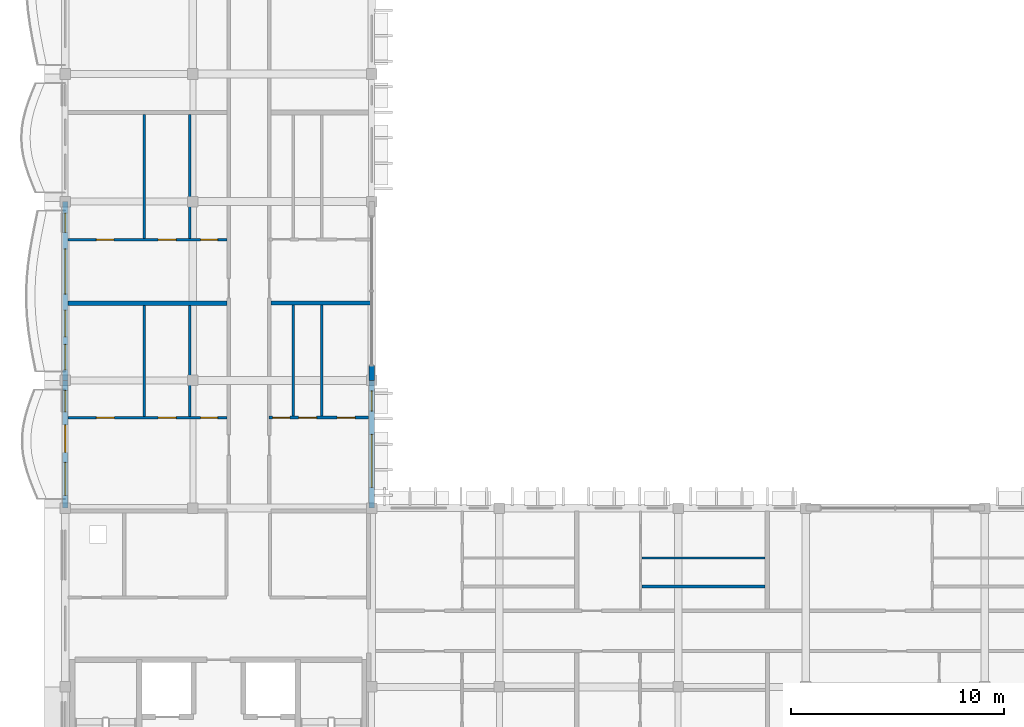
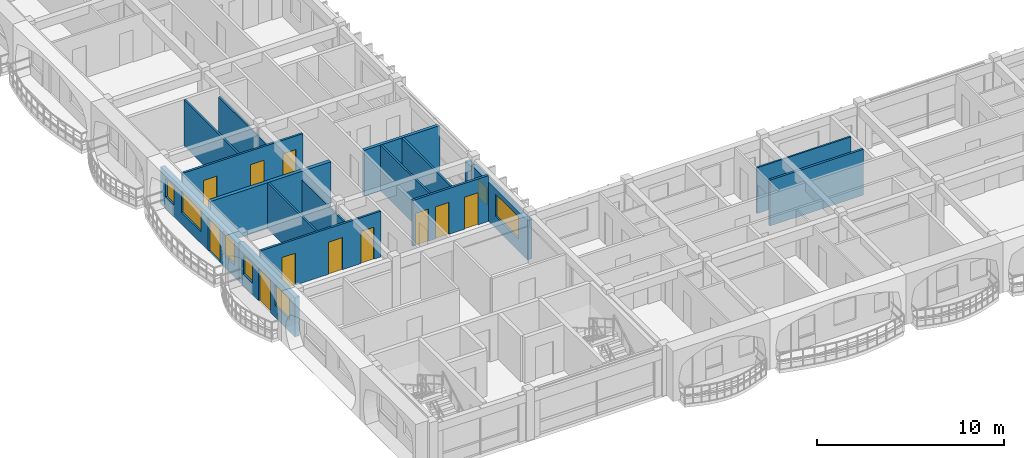
# One storey, part 24 of 68: 17 walls, 11 doors, 7 windows, 18 openings.
"""IFC4 building model written with IfcOpenShell, lengths in metres."""

from ifc_helpers import new_model, si_unit, direction, frame, frame_2d, origin, place, context, subcontext, project, spatial, rectangle, extrude, material, layer, layer_set, type_object, element, fill, save


model = new_model("IFC4")

# Units and contexts
model_context = context("Model", 3, precision=1e-05, world=origin(), true_north=direction((0.0, 1.0)))
body_context = subcontext(model_context, "Body", "Model", "MODEL_VIEW")
ifc_project = project(units=[si_unit("LENGTHUNIT", "METRE"), si_unit("AREAUNIT", "SQUARE_METRE"), si_unit("VOLUMEUNIT", "CUBIC_METRE"), si_unit("PLANEANGLEUNIT", "RADIAN"), si_unit("MASSUNIT", "GRAM", prefix="KILO"), si_unit("THERMODYNAMICTEMPERATUREUNIT", "KELVIN")], contexts=[model_context])

# Site, building, storey
site_placement = place(None, origin())
site = spatial("IfcSite", under=ifc_project, at=site_placement, CompositionType="ELEMENT")
building_placement = place(site_placement, origin())
building = spatial("IfcBuilding", under=site, at=building_placement, Name="Thalorik Housing Commons", CompositionType="ELEMENT")
storey_placement = place(building_placement, frame((0.0, 0.0, 24.60009765625)))
storey = spatial("IfcBuildingStorey", under=building, at=storey_placement, Name="L07", CompositionType="ELEMENT", Elevation=24.60009765625)

# Wall, openings, windows
ifc_material_1 = material(Name="White precast concrete C40/50", Category="concrete")
ifc_layer_1 = layer(ifc_material_1, 0.27490234375, Name="White precast concrete C40/50", Category="concrete")
ifc_layer_set_1 = layer_set([ifc_layer_1], Name="White precast concrete C40/50")
wall_type_1 = type_object("IfcWallType", Name="ARC-WAL-EXT-275", PredefinedType="STANDARD", material=ifc_layer_set_1)
wall_1_placement = place(storey_placement, frame((22.800048828125, 22.800048828125, 0.0), z_axis=(0.0, 0.0, 1.0), x_axis=(0.0, 1.0, 0.0)))
wall_1 = element("IfcWall", 1, at=wall_1_placement, inside=storey, type_object=wall_type_1, Name="L07 Exterior Wall WAL-EXT-L07-C-1017", PredefinedType="STANDARD", context=body_context, shape_type="SweptSolid", body=[
    extrude(rectangle(XDim=6.0, YDim=0.27490234375, at=frame_2d((3.0, 0.0))), origin(), (0.0, 0.0, 1.0), 2.574951171875),
])
opening_1_placement = place(wall_1_placement, frame((0.979736328125, 0.0, 0.780029296875)))
opening_1 = element("IfcOpeningElement", 2, at=opening_1_placement, cuts=wall_1, Name="Opening W-71", PredefinedType="OPENING", context=body_context, shape_type="SweptSolid", body=[
    extrude(rectangle(XDim=2.47998046875, YDim=1.4599609375, at=frame_2d((1.239990234375, 0.72998046875))), frame((0.0, 0.1474609375, 0.0), z_axis=(0.0, -1.0, 0.0), x_axis=(1.0, 0.0, 0.0)), (0.0, 0.0, 1.0), 0.294921875),
])
opening_2_placement = place(wall_1_placement, frame((4.5546875, 0.0, 0.780029296875)))
opening_2 = element("IfcOpeningElement", 3, at=opening_2_placement, cuts=wall_1, Name="Opening W-43", PredefinedType="OPENING", context=body_context, shape_type="SweptSolid", body=[
    extrude(rectangle(XDim=0.949951171875, YDim=1.14990234375, at=frame_2d((0.47509765625, 0.574951171875))), frame((0.0, 0.1474609375, 0.0), z_axis=(0.0, -1.0, 0.0), x_axis=(1.0, 0.0, 0.0)), (0.0, 0.0, 1.0), 0.294921875),
])
ifc_material_2 = material(Name="Anodised aluminium and solar-control low-E glass", Category="aluminium")
window_type_1 = type_object("IfcWindowType", Name="ARC-WIN-43", PartitioningType="SINGLE_PANEL", PredefinedType="WINDOW", material=ifc_material_2)
window_1_placement = place(opening_2_placement, origin())
window_1 = element("IfcWindow", 4, at=window_1_placement, inside=storey, type_object=window_type_1, Name="L07 Facade Window 1882", OverallHeight=1.14990234375, OverallWidth=0.949951171875, PartitioningType="SINGLE_PANEL", PredefinedType="WINDOW", context=body_context, shape_type="SweptSolid", body=[
    extrude(rectangle(XDim=0.949951171875, YDim=1.14990234375, at=frame_2d((0.47509765625, 0.574951171875))), frame((0.0, 0.030029296875, 0.0), z_axis=(0.0, -1.0, 0.0), x_axis=(1.0, 0.0, 0.0)), (0.0, 0.0, 1.0), 0.06005859375),
])
fill(opening_2, window_1)
window_type_2 = type_object("IfcWindowType", Name="ARC-WIN-71", PartitioningType="DOUBLE_PANEL_VERTICAL", PredefinedType="WINDOW", material=ifc_material_2)
window_2_placement = place(opening_1_placement, origin())
window_2 = element("IfcWindow", 5, at=window_2_placement, inside=storey, type_object=window_type_2, Name="L07 Facade Window 1881", OverallHeight=1.4599609375, OverallWidth=2.47998046875, PartitioningType="DOUBLE_PANEL_VERTICAL", PredefinedType="WINDOW", context=body_context, shape_type="SweptSolid", body=[
    extrude(rectangle(XDim=2.47998046875, YDim=1.4599609375, at=frame_2d((1.239990234375, 0.72998046875))), frame((0.0, 0.030029296875, 0.0), z_axis=(0.0, -1.0, 0.0), x_axis=(1.0, 0.0, 0.0)), (0.0, 0.0, 1.0), 0.06005859375),
])
fill(opening_1, window_2)

# Wall
wall_2_placement = place(storey_placement, frame((22.800048828125, 28.800048828125, 0.0), z_axis=(0.0, 0.0, 1.0), x_axis=(0.0, 1.0, 0.0)))
element("IfcWall", 6, at=wall_2_placement, inside=storey, type_object=wall_type_1, Name="L07 Exterior Wall WAL-PIERL-L07-C-1018", PredefinedType="STANDARD", context=body_context, shape_type="SweptSolid", body=[
    extrude(rectangle(XDim=0.699951171875, YDim=0.27490234375, at=frame_2d((0.35009765625, 0.0))), origin(), (0.0, 0.0, 1.0), 2.4248046875),
])

# Wall, openings, door, windows
wall_3_placement = place(storey_placement, frame((8.39990234375, 37.199951171875, 0.0), z_axis=(0.0, 0.0, 1.0), x_axis=(0.0, -1.0, 0.0)))
wall_3 = element("IfcWall", 7, at=wall_3_placement, inside=storey, type_object=wall_type_1, Name="L07 Exterior Wall WAL-EXT-L07-C-1027", PredefinedType="STANDARD", context=body_context, shape_type="SweptSolid", body=[
    extrude(rectangle(XDim=8.39990234375, YDim=0.27490234375, at=frame_2d((4.199951171875, 0.0))), origin(), (0.0, 0.0, 1.0), 2.4248046875),
])
opening_3_placement = place(wall_3_placement, frame((5.10009765625, 0.0, 0.0)))
opening_3 = element("IfcOpeningElement", 8, at=opening_3_placement, cuts=wall_3, Name="Opening ED-0341", PredefinedType="OPENING", context=body_context, shape_type="SweptSolid", body=[
    extrude(rectangle(XDim=1.25, YDim=2.199951171875, at=frame_2d((0.625, 1.10009765625))), frame((0.0, 0.1474609375, 0.0), z_axis=(0.0, -1.0, 0.0), x_axis=(1.0, 0.0, 0.0)), (0.0, 0.0, 1.0), 0.294921875),
])
opening_4_placement = place(wall_3_placement, frame((0.5400390625, 0.0, 0.780029296875)))
opening_4 = element("IfcOpeningElement", 9, at=opening_4_placement, cuts=wall_3, Name="Opening W-01", PredefinedType="OPENING", context=body_context, shape_type="SweptSolid", body=[
    extrude(rectangle(XDim=0.89990234375, YDim=1.199951171875, at=frame_2d((0.449951171875, 0.60009765625))), frame((0.0, 0.1474609375, 0.0), z_axis=(0.0, -1.0, 0.0), x_axis=(1.0, 0.0, 0.0)), (0.0, 0.0, 1.0), 0.294921875),
])
opening_5_placement = place(wall_3_placement, frame((2.219970703125, 0.0, 0.780029296875)))
opening_5 = element("IfcOpeningElement", 10, at=opening_5_placement, cuts=wall_3, Name="Opening W-64", PredefinedType="OPENING", context=body_context, shape_type="SweptSolid", body=[
    extrude(rectangle(XDim=2.1201171875, YDim=1.43994140625, at=frame_2d((1.06005859375, 0.719970703125))), frame((0.0, 0.1474609375, 0.0), z_axis=(0.0, -1.0, 0.0), x_axis=(1.0, 0.0, 0.0)), (0.0, 0.0, 1.0), 0.294921875),
])
opening_6_placement = place(wall_3_placement, frame((6.705078125, 0.0, 0.780029296875)))
opening_6 = element("IfcOpeningElement", 11, at=opening_6_placement, cuts=wall_3, Name="Opening W-05", PredefinedType="OPENING", context=body_context, shape_type="SweptSolid", body=[
    extrude(rectangle(XDim=1.199951171875, YDim=1.5, at=frame_2d((0.60009765625, 0.75))), frame((0.0, 0.1474609375, 0.0), z_axis=(0.0, -1.0, 0.0), x_axis=(1.0, 0.0, 0.0)), (0.0, 0.0, 1.0), 0.294921875),
])
ifc_material_3 = material(Name="Anodised aluminium and laminated safety glass", Category="aluminium")
door_type_1 = type_object("IfcDoorType", Name="ARC-DR-BAL-1250", OperationType="NOTDEFINED", PredefinedType="DOOR", material=ifc_material_3)
door_1_placement = place(opening_3_placement, frame((1.25, 0.0, 0.0), z_axis=(0.0, 0.0, 1.0), x_axis=(-1.0, 0.0, 0.0)))
door_1 = element("IfcDoor", 12, at=door_1_placement, inside=storey, type_object=door_type_1, Name="L07 Block C Balcony Glazed Door", OperationType="SINGLE_SWING_RIGHT", OverallHeight=2.199951171875, OverallWidth=1.25, PredefinedType="DOOR", context=body_context, shape_type="SweptSolid", body=[
    extrude(rectangle(XDim=1.25, YDim=2.199951171875, at=frame_2d((0.625, 1.10009765625))), frame((0.0, 0.02490234375, 0.0), z_axis=(0.0, -1.0, 0.0), x_axis=(1.0, 0.0, 0.0)), (0.0, 0.0, 1.0), 0.050048828125),
])
fill(opening_3, door_1)
window_type_3 = type_object("IfcWindowType", Name="ARC-WIN-01", PartitioningType="SINGLE_PANEL", PredefinedType="WINDOW", material=ifc_material_2)
window_3_placement = place(opening_4_placement, origin())
window_3 = element("IfcWindow", 13, at=window_3_placement, inside=storey, type_object=window_type_3, Name="L07 Facade Window 1898", OverallHeight=1.199951171875, OverallWidth=0.89990234375, PartitioningType="SINGLE_PANEL", PredefinedType="WINDOW", context=body_context, shape_type="SweptSolid", body=[
    extrude(rectangle(XDim=0.89990234375, YDim=1.199951171875, at=frame_2d((0.449951171875, 0.60009765625))), frame((0.0, 0.030029296875, 0.0), z_axis=(0.0, -1.0, 0.0), x_axis=(1.0, 0.0, 0.0)), (0.0, 0.0, 1.0), 0.06005859375),
])
fill(opening_4, window_3)
window_type_4 = type_object("IfcWindowType", Name="ARC-WIN-05", PartitioningType="SINGLE_PANEL", PredefinedType="WINDOW", material=ifc_material_2)
window_4_placement = place(opening_6_placement, origin())
window_4 = element("IfcWindow", 14, at=window_4_placement, inside=storey, type_object=window_type_4, Name="L07 Facade Window 1900", OverallHeight=1.5, OverallWidth=1.199951171875, PartitioningType="SINGLE_PANEL", PredefinedType="WINDOW", context=body_context, shape_type="SweptSolid", body=[
    extrude(rectangle(XDim=1.199951171875, YDim=1.5, at=frame_2d((0.60009765625, 0.75))), frame((0.0, 0.030029296875, 0.0), z_axis=(0.0, -1.0, 0.0), x_axis=(1.0, 0.0, 0.0)), (0.0, 0.0, 1.0), 0.06005859375),
])
fill(opening_6, window_4)
window_type_5 = type_object("IfcWindowType", Name="ARC-WIN-64", PartitioningType="DOUBLE_PANEL_VERTICAL", PredefinedType="WINDOW", material=ifc_material_2)
window_5_placement = place(opening_5_placement, origin())
window_5 = element("IfcWindow", 15, at=window_5_placement, inside=storey, type_object=window_type_5, Name="L07 Facade Window 1899", OverallHeight=1.43994140625, OverallWidth=2.1201171875, PartitioningType="DOUBLE_PANEL_VERTICAL", PredefinedType="WINDOW", context=body_context, shape_type="SweptSolid", body=[
    extrude(rectangle(XDim=2.1201171875, YDim=1.43994140625, at=frame_2d((1.06005859375, 0.719970703125))), frame((0.0, 0.030029296875, 0.0), z_axis=(0.0, -1.0, 0.0), x_axis=(1.0, 0.0, 0.0)), (0.0, 0.0, 1.0), 0.06005859375),
])
fill(opening_5, window_5)

wall_4_placement = place(storey_placement, frame((8.39990234375, 28.800048828125, 0.0), z_axis=(0.0, 0.0, 1.0), x_axis=(0.0, -1.0, 0.0)))
wall_4 = element("IfcWall", 16, at=wall_4_placement, inside=storey, type_object=wall_type_1, Name="L07 Exterior Wall WAL-EXT-L07-C-1028", PredefinedType="STANDARD", context=body_context, shape_type="SweptSolid", body=[
    extrude(rectangle(XDim=6.0, YDim=0.27490234375, at=frame_2d((3.0, 0.0))), origin(), (0.0, 0.0, 1.0), 2.574951171875),
])
opening_7_placement = place(wall_4_placement, frame((2.0849609375, 0.0, 0.0)))
opening_7 = element("IfcOpeningElement", 17, at=opening_7_placement, cuts=wall_4, Name="Opening ED-0342", PredefinedType="OPENING", context=body_context, shape_type="SweptSolid", body=[
    extrude(rectangle(XDim=1.300048828125, YDim=2.14990234375, at=frame_2d((0.64990234375, 1.074951171875))), frame((0.0, 0.1474609375, 0.0), z_axis=(0.0, -1.0, 0.0), x_axis=(1.0, 0.0, 0.0)), (0.0, 0.0, 1.0), 0.294921875),
])
opening_8_placement = place(wall_4_placement, frame((0.472412109375, 0.0, 0.780029296875)))
opening_8 = element("IfcOpeningElement", 18, at=opening_8_placement, cuts=wall_4, Name="Opening W-02", PredefinedType="OPENING", context=body_context, shape_type="SweptSolid", body=[
    extrude(rectangle(XDim=1.0, YDim=1.25, at=frame_2d((0.5, 0.625))), frame((0.0, 0.1474609375, 0.0), z_axis=(0.0, -1.0, 0.0), x_axis=(1.0, 0.0, 0.0)), (0.0, 0.0, 1.0), 0.294921875),
])
opening_9_placement = place(wall_4_placement, frame((3.847412109375, 0.0, 0.780029296875)))
opening_9 = element("IfcOpeningElement", 19, at=opening_9_placement, cuts=wall_4, Name="Opening W-12", PredefinedType="OPENING", context=body_context, shape_type="SweptSolid", body=[
    extrude(rectangle(XDim=1.550048828125, YDim=1.39990234375, at=frame_2d((0.77490234375, 0.699951171875))), frame((0.0, 0.1474609375, 0.0), z_axis=(0.0, -1.0, 0.0), x_axis=(1.0, 0.0, 0.0)), (0.0, 0.0, 1.0), 0.294921875),
])
door_type_2 = type_object("IfcDoorType", Name="ARC-DR-BAL-1300", OperationType="NOTDEFINED", PredefinedType="DOOR", material=ifc_material_3)
door_2_placement = place(opening_7_placement, frame((1.300048828125, 0.0, 0.0), z_axis=(0.0, 0.0, 1.0), x_axis=(-1.0, 0.0, 0.0)))
door_2 = element("IfcDoor", 20, at=door_2_placement, inside=storey, type_object=door_type_2, Name="L07 Block C Balcony Glazed Door", OperationType="SINGLE_SWING_LEFT", OverallHeight=2.14990234375, OverallWidth=1.300048828125, PredefinedType="DOOR", context=body_context, shape_type="SweptSolid", body=[
    extrude(rectangle(XDim=1.300048828125, YDim=2.14990234375, at=frame_2d((0.64990234375, 1.074951171875))), frame((0.0, 0.02490234375, 0.0), z_axis=(0.0, -1.0, 0.0), x_axis=(1.0, 0.0, 0.0)), (0.0, 0.0, 1.0), 0.050048828125),
])
fill(opening_7, door_2)
window_type_6 = type_object("IfcWindowType", Name="ARC-WIN-02", PartitioningType="SINGLE_PANEL", PredefinedType="WINDOW", material=ifc_material_2)
window_6_placement = place(opening_8_placement, origin())
window_6 = element("IfcWindow", 21, at=window_6_placement, inside=storey, type_object=window_type_6, Name="L07 Facade Window 1901", OverallHeight=1.25, OverallWidth=1.0, PartitioningType="SINGLE_PANEL", PredefinedType="WINDOW", context=body_context, shape_type="SweptSolid", body=[
    extrude(rectangle(XDim=1.0, YDim=1.25, at=frame_2d((0.5, 0.625))), frame((0.0, 0.030029296875, 0.0), z_axis=(0.0, -1.0, 0.0), x_axis=(1.0, 0.0, 0.0)), (0.0, 0.0, 1.0), 0.06005859375),
])
fill(opening_8, window_6)
window_type_7 = type_object("IfcWindowType", Name="ARC-WIN-12", PartitioningType="SINGLE_PANEL", PredefinedType="WINDOW", material=ifc_material_2)
window_7_placement = place(opening_9_placement, origin())
window_7 = element("IfcWindow", 22, at=window_7_placement, inside=storey, type_object=window_type_7, Name="L07 Facade Window 1902", OverallHeight=1.39990234375, OverallWidth=1.550048828125, PartitioningType="SINGLE_PANEL", PredefinedType="WINDOW", context=body_context, shape_type="SweptSolid", body=[
    extrude(rectangle(XDim=1.550048828125, YDim=1.39990234375, at=frame_2d((0.77490234375, 0.699951171875))), frame((0.0, 0.030029296875, 0.0), z_axis=(0.0, -1.0, 0.0), x_axis=(1.0, 0.0, 0.0)), (0.0, 0.0, 1.0), 0.06005859375),
])
fill(opening_9, window_7)

# Walls
ifc_material_4 = material(Name="Gypsum light stud partition", Category="masonry")
ifc_layer_2 = layer(ifc_material_4, 0.10009765625, Name="Gypsum light stud partition", Category="masonry")
ifc_layer_set_2 = layer_set([ifc_layer_2], Name="Gypsum light stud partition")
wall_type_2 = type_object("IfcWallType", Name="ARC-WAL-PART-100", PredefinedType="PARTITIONING", material=ifc_layer_set_2)
wall_5_placement = place(storey_placement, frame((14.251220703125, 27.109619140625, 0.0), z_axis=(0.0, 0.0, 1.0), x_axis=(0.0, 1.0, 0.0)))
element("IfcWall", 23, at=wall_5_placement, inside=storey, type_object=wall_type_2, Name="L07 Unit 1 Wet Wall", PredefinedType="PARTITIONING", context=body_context, shape_type="SweptSolid", body=[
    extrude(rectangle(XDim=5.20849609375, YDim=0.10009765625, at=frame_2d((2.604248046875, 0.0))), origin(), (0.0, 0.0, 1.0), 2.4248046875),
])
wall_6_placement = place(storey_placement, frame((14.251220703125, 35.474609375, 0.0), z_axis=(0.0, 0.0, 1.0), x_axis=(0.0, 1.0, 0.0)))
element("IfcWall", 24, at=wall_6_placement, inside=storey, type_object=wall_type_2, Name="L07 Unit 2 Wet Wall", PredefinedType="PARTITIONING", context=body_context, shape_type="SweptSolid", body=[
    extrude(rectangle(XDim=5.8134765625, YDim=0.10009765625, at=frame_2d((2.90673828125, 0.0))), origin(), (0.0, 0.0, 1.0), 2.4248046875),
])
wall_7_placement = place(storey_placement, frame((35.490234375, 20.455078125, 0.0), z_axis=(0.0, 0.0, 1.0), x_axis=(1.0, 0.0, 0.0)))
element("IfcWall", 25, at=wall_7_placement, inside=storey, type_object=wall_type_2, Name="L07 Unit 2B Bedroom Partition", PredefinedType="PARTITIONING", context=body_context, shape_type="SweptSolid", body=[
    extrude(rectangle(XDim=5.7978515625, YDim=0.10009765625, at=frame_2d((2.89892578125, 0.0))), origin(), (0.0, 0.0, 1.0), 3.0),
])
ifc_material_5 = material(Name="Gypsum moisture-resistant partition", Category="masonry")
ifc_layer_3 = layer(ifc_material_5, 0.114990234375, Name="Gypsum moisture-resistant partition", Category="masonry")
ifc_layer_set_3 = layer_set([ifc_layer_3], Name="Gypsum moisture-resistant partition")
wall_type_3 = type_object("IfcWallType", Name="ARC-WAL-PART-115", PredefinedType="PARTITIONING", material=ifc_layer_set_3)
wall_8_placement = place(storey_placement, frame((12.11767578125, 27.109619140625, 0.0), z_axis=(0.0, 0.0, 1.0), x_axis=(0.0, 1.0, 0.0)))
element("IfcWall", 26, at=wall_8_placement, inside=storey, type_object=wall_type_3, Name="L07 Unit 1 Bedroom Partition", PredefinedType="PARTITIONING", context=body_context, shape_type="SweptSolid", body=[
    extrude(rectangle(XDim=5.20849609375, YDim=0.114990234375, at=frame_2d((2.604248046875, 0.0))), origin(), (0.0, 0.0, 1.0), 3.0),
])
wall_9_placement = place(storey_placement, frame((19.122314453125, 27.12158203125, 0.0), z_axis=(0.0, 0.0, 1.0), x_axis=(0.0, 1.0, 0.0)))
element("IfcWall", 27, at=wall_9_placement, inside=storey, type_object=wall_type_3, Name="L07 Unit 1B Wet Wall", PredefinedType="PARTITIONING", context=body_context, shape_type="SweptSolid", body=[
    extrude(rectangle(XDim=5.2138671875, YDim=0.114990234375, at=frame_2d((2.60693359375, 0.0))), origin(), (0.0, 0.0, 1.0), 3.0),
])
wall_10_placement = place(storey_placement, frame((12.11767578125, 35.474609375, 0.0), z_axis=(0.0, 0.0, 1.0), x_axis=(0.0, 1.0, 0.0)))
element("IfcWall", 28, at=wall_10_placement, inside=storey, type_object=wall_type_3, Name="L07 Unit 2 Bedroom Partition", PredefinedType="PARTITIONING", context=body_context, shape_type="SweptSolid", body=[
    extrude(rectangle(XDim=5.8134765625, YDim=0.114990234375, at=frame_2d((2.90673828125, 0.0))), origin(), (0.0, 0.0, 1.0), 3.0),
])

# Wall, openings, doors
ifc_material_6 = material(Name="Gypsum acoustic stud partition", Category="masonry")
ifc_layer_4 = layer(ifc_material_6, 0.125, Name="Gypsum acoustic stud partition", Category="masonry")
ifc_layer_set_4 = layer_set([ifc_layer_4], Name="Gypsum acoustic stud partition")
wall_type_4 = type_object("IfcWallType", Name="ARC-WAL-PART-125", PredefinedType="PARTITIONING", material=ifc_layer_set_4)
wall_11_placement = place(storey_placement, frame((8.53955078125, 27.044921875, 0.0), z_axis=(0.0, 0.0, 1.0), x_axis=(1.0, 0.0, 0.0)))
wall_11 = element("IfcWall", 29, at=wall_11_placement, inside=storey, type_object=wall_type_4, Name="L07 Unit 1 Spine Partition", PredefinedType="PARTITIONING", context=body_context, shape_type="SweptSolid", body=[
    extrude(rectangle(XDim=7.46337890625, YDim=0.125, at=frame_2d((3.731689453125, 0.0))), origin(), (0.0, 0.0, 1.0), 3.0),
])
opening_10_placement = place(wall_11_placement, frame((1.32421875, 0.0, 0.0)))
opening_10 = element("IfcOpeningElement", 30, at=opening_10_placement, cuts=wall_11, Name="Opening ID-1842", PredefinedType="OPENING", context=body_context, shape_type="SweptSolid", body=[
    extrude(rectangle(XDim=0.85009765625, YDim=2.10009765625, at=frame_2d((0.425048828125, 1.050048828125))), frame((0.0, 0.072509765625, 0.0), z_axis=(0.0, -1.0, 0.0), x_axis=(1.0, 0.0, 0.0)), (0.0, 0.0, 1.0), 0.14501953125),
])
opening_11_placement = place(wall_11_placement, frame((4.219970703125, 0.0, 0.0)))
opening_11 = element("IfcOpeningElement", 31, at=opening_11_placement, cuts=wall_11, Name="Opening ID-1843", PredefinedType="OPENING", context=body_context, shape_type="SweptSolid", body=[
    extrude(rectangle(XDim=0.85009765625, YDim=2.10009765625, at=frame_2d((0.425048828125, 1.050048828125))), frame((0.0, 0.072509765625, 0.0), z_axis=(0.0, -1.0, 0.0), x_axis=(1.0, 0.0, 0.0)), (0.0, 0.0, 1.0), 0.14501953125),
])
opening_12_placement = place(wall_11_placement, frame((6.22607421875, 0.0, 0.0)))
opening_12 = element("IfcOpeningElement", 32, at=opening_12_placement, cuts=wall_11, Name="Opening ID-1844", PredefinedType="OPENING", context=body_context, shape_type="SweptSolid", body=[
    extrude(rectangle(XDim=0.800048828125, YDim=2.10009765625, at=frame_2d((0.39990234375, 1.050048828125))), frame((0.0, 0.072509765625, 0.0), z_axis=(0.0, -1.0, 0.0), x_axis=(1.0, 0.0, 0.0)), (0.0, 0.0, 1.0), 0.14501953125),
])
ifc_material_7 = material(Name="Moisture-resistant timber", Category="wood")
door_type_3 = type_object("IfcDoorType", Name="ARC-DR-INT-800", OperationType="NOTDEFINED", PredefinedType="DOOR", material=ifc_material_7)
door_3_placement = place(opening_12_placement, origin())
door_3 = element("IfcDoor", 33, at=door_3_placement, inside=storey, type_object=door_type_3, Name="L07 Flat Bathroom Door", OperationType="SINGLE_SWING_LEFT", OverallHeight=2.10009765625, OverallWidth=0.800048828125, PredefinedType="DOOR", context=body_context, shape_type="SweptSolid", body=[
    extrude(rectangle(XDim=0.800048828125, YDim=2.10009765625, at=frame_2d((0.39990234375, 1.050048828125))), frame((0.0, 0.02490234375, 0.0), z_axis=(0.0, -1.0, 0.0), x_axis=(1.0, 0.0, 0.0)), (0.0, 0.0, 1.0), 0.050048828125),
])
fill(opening_12, door_3)
ifc_material_8 = material(Name="Engineered oak timber", Category="wood")
door_type_4 = type_object("IfcDoorType", Name="ARC-DR-INT-850", OperationType="NOTDEFINED", PredefinedType="DOOR", material=ifc_material_8)
door_4_placement = place(opening_10_placement, origin())
door_4 = element("IfcDoor", 34, at=door_4_placement, inside=storey, type_object=door_type_4, Name="L07 Double Bedroom Door", OperationType="SINGLE_SWING_LEFT", OverallHeight=2.10009765625, OverallWidth=0.85009765625, PredefinedType="DOOR", context=body_context, shape_type="SweptSolid", body=[
    extrude(rectangle(XDim=0.85009765625, YDim=2.10009765625, at=frame_2d((0.425048828125, 1.050048828125))), frame((0.0, 0.02490234375, 0.0), z_axis=(0.0, -1.0, 0.0), x_axis=(1.0, 0.0, 0.0)), (0.0, 0.0, 1.0), 0.050048828125),
])
fill(opening_10, door_4)
door_5_placement = place(opening_11_placement, origin())
door_5 = element("IfcDoor", 35, at=door_5_placement, inside=storey, type_object=door_type_4, Name="L07 Galley Kitchen Door", OperationType="SINGLE_SWING_RIGHT", OverallHeight=2.10009765625, OverallWidth=0.85009765625, PredefinedType="DOOR", context=body_context, shape_type="SweptSolid", body=[
    extrude(rectangle(XDim=0.85009765625, YDim=2.10009765625, at=frame_2d((0.425048828125, 1.050048828125))), frame((0.0, 0.02490234375, 0.0), z_axis=(0.0, -1.0, 0.0), x_axis=(1.0, 0.0, 0.0)), (0.0, 0.0, 1.0), 0.050048828125),
])
fill(opening_11, door_5)

# Wall
wall_12_placement = place(storey_placement, frame((20.455078125, 27.12158203125, 0.0), z_axis=(0.0, 0.0, 1.0), x_axis=(0.0, 1.0, 0.0)))
element("IfcWall", 36, at=wall_12_placement, inside=storey, type_object=wall_type_4, Name="L07 Unit 1B Bedroom Partition", PredefinedType="PARTITIONING", context=body_context, shape_type="SweptSolid", body=[
    extrude(rectangle(XDim=5.2138671875, YDim=0.125, at=frame_2d((2.60693359375, 0.0))), origin(), (0.0, 0.0, 1.0), 3.0),
])

# Wall, openings, doors
wall_13_placement = place(storey_placement, frame((8.53955078125, 35.409912109375, 0.0), z_axis=(0.0, 0.0, 1.0), x_axis=(1.0, 0.0, 0.0)))
wall_13 = element("IfcWall", 37, at=wall_13_placement, inside=storey, type_object=wall_type_4, Name="L07 Unit 2 Spine Partition", PredefinedType="PARTITIONING", context=body_context, shape_type="SweptSolid", body=[
    extrude(rectangle(XDim=7.46337890625, YDim=0.125, at=frame_2d((3.731689453125, 0.0))), origin(), (0.0, 0.0, 1.0), 3.0),
])
opening_13_placement = place(wall_13_placement, frame((1.32421875, 0.0, 0.0)))
opening_13 = element("IfcOpeningElement", 38, at=opening_13_placement, cuts=wall_13, Name="Opening ID-1848", PredefinedType="OPENING", context=body_context, shape_type="SweptSolid", body=[
    extrude(rectangle(XDim=0.820068359375, YDim=2.080078125, at=frame_2d((0.41015625, 1.0400390625))), frame((0.0, 0.072509765625, 0.0), z_axis=(0.0, -1.0, 0.0), x_axis=(1.0, 0.0, 0.0)), (0.0, 0.0, 1.0), 0.14501953125),
])
opening_14_placement = place(wall_13_placement, frame((4.219970703125, 0.0, 0.0)))
opening_14 = element("IfcOpeningElement", 39, at=opening_14_placement, cuts=wall_13, Name="Opening ID-1849", PredefinedType="OPENING", context=body_context, shape_type="SweptSolid", body=[
    extrude(rectangle(XDim=0.85009765625, YDim=2.10009765625, at=frame_2d((0.425048828125, 1.050048828125))), frame((0.0, 0.072509765625, 0.0), z_axis=(0.0, -1.0, 0.0), x_axis=(1.0, 0.0, 0.0)), (0.0, 0.0, 1.0), 0.14501953125),
])
opening_15_placement = place(wall_13_placement, frame((6.22607421875, 0.0, 0.0)))
opening_15 = element("IfcOpeningElement", 40, at=opening_15_placement, cuts=wall_13, Name="Opening ID-1850", PredefinedType="OPENING", context=body_context, shape_type="SweptSolid", body=[
    extrude(rectangle(XDim=0.800048828125, YDim=2.10009765625, at=frame_2d((0.39990234375, 1.050048828125))), frame((0.0, 0.072509765625, 0.0), z_axis=(0.0, -1.0, 0.0), x_axis=(1.0, 0.0, 0.0)), (0.0, 0.0, 1.0), 0.14501953125),
])
door_6_placement = place(opening_15_placement, origin())
door_6 = element("IfcDoor", 41, at=door_6_placement, inside=storey, type_object=door_type_3, Name="L07 Accessible Bathroom Door", OperationType="SINGLE_SWING_LEFT", OverallHeight=2.10009765625, OverallWidth=0.800048828125, PredefinedType="DOOR", context=body_context, shape_type="SweptSolid", body=[
    extrude(rectangle(XDim=0.800048828125, YDim=2.10009765625, at=frame_2d((0.39990234375, 1.050048828125))), frame((0.0, 0.02490234375, 0.0), z_axis=(0.0, -1.0, 0.0), x_axis=(1.0, 0.0, 0.0)), (0.0, 0.0, 1.0), 0.050048828125),
])
fill(opening_15, door_6)
door_type_5 = type_object("IfcDoorType", Name="ARC-DR-INT-820", OperationType="NOTDEFINED", PredefinedType="DOOR", material=ifc_material_8)
door_7_placement = place(opening_13_placement, origin())
door_7 = element("IfcDoor", 42, at=door_7_placement, inside=storey, type_object=door_type_5, Name="L07 Single Bedroom Door", OperationType="SINGLE_SWING_LEFT", OverallHeight=2.080078125, OverallWidth=0.820068359375, PredefinedType="DOOR", context=body_context, shape_type="SweptSolid", body=[
    extrude(rectangle(XDim=0.820068359375, YDim=2.080078125, at=frame_2d((0.41015625, 1.0400390625))), frame((0.0, 0.02490234375, 0.0), z_axis=(0.0, -1.0, 0.0), x_axis=(1.0, 0.0, 0.0)), (0.0, 0.0, 1.0), 0.050048828125),
])
fill(opening_13, door_7)
door_8_placement = place(opening_14_placement, origin())
door_8 = element("IfcDoor", 43, at=door_8_placement, inside=storey, type_object=door_type_4, Name="L07 Eat-In Kitchen Door", OperationType="SINGLE_SWING_RIGHT", OverallHeight=2.10009765625, OverallWidth=0.85009765625, PredefinedType="DOOR", context=body_context, shape_type="SweptSolid", body=[
    extrude(rectangle(XDim=0.85009765625, YDim=2.10009765625, at=frame_2d((0.425048828125, 1.050048828125))), frame((0.0, 0.02490234375, 0.0), z_axis=(0.0, -1.0, 0.0), x_axis=(1.0, 0.0, 0.0)), (0.0, 0.0, 1.0), 0.050048828125),
])
fill(opening_14, door_8)

ifc_material_9 = material(Name="Ceramic masonry partition wall", Category="masonry")
ifc_layer_5 = layer(ifc_material_9, 0.139892578125, Name="Ceramic masonry partition wall", Category="masonry")
ifc_layer_set_5 = layer_set([ifc_layer_5], Name="Ceramic masonry partition wall")
wall_type_5 = type_object("IfcWallType", Name="ARC-WAL-PART-140", PredefinedType="PARTITIONING", material=ifc_layer_set_5)
wall_14_placement = place(storey_placement, frame((17.97998046875, 27.049560546875, 0.0), z_axis=(0.0, 0.0, 1.0), x_axis=(1.0, 0.0, 0.0)))
wall_14 = element("IfcWall", 44, at=wall_14_placement, inside=storey, type_object=wall_type_5, Name="L07 Unit 1B Spine Partition", PredefinedType="PARTITIONING", context=body_context, shape_type="SweptSolid", body=[
    extrude(rectangle(XDim=4.680419921875, YDim=0.139892578125, at=frame_2d((2.34033203125, 0.0))), origin(), (0.0, 0.0, 1.0), 3.0),
])
opening_16_placement = place(wall_14_placement, frame((0.171142578125, 0.0, 0.0)))
opening_16 = element("IfcOpeningElement", 45, at=opening_16_placement, cuts=wall_14, Name="Opening ID-1845", PredefinedType="OPENING", context=body_context, shape_type="SweptSolid", body=[
    extrude(rectangle(XDim=0.800048828125, YDim=2.10009765625, at=frame_2d((0.39990234375, 1.050048828125))), frame((0.0, 0.080078125, 0.0), z_axis=(0.0, -1.0, 0.0), x_axis=(1.0, 0.0, 0.0)), (0.0, 0.0, 1.0), 0.159912109375),
])
opening_17_placement = place(wall_14_placement, frame((1.3837890625, 0.0, 0.0)))
opening_17 = element("IfcOpeningElement", 46, at=opening_17_placement, cuts=wall_14, Name="Opening ID-1846", PredefinedType="OPENING", context=body_context, shape_type="SweptSolid", body=[
    extrude(rectangle(XDim=0.85009765625, YDim=2.10009765625, at=frame_2d((0.425048828125, 1.050048828125))), frame((0.0, 0.080078125, 0.0), z_axis=(0.0, -1.0, 0.0), x_axis=(1.0, 0.0, 0.0)), (0.0, 0.0, 1.0), 0.159912109375),
])
opening_18_placement = place(wall_14_placement, frame((3.192626953125, 0.0, 0.0)))
opening_18 = element("IfcOpeningElement", 47, at=opening_18_placement, cuts=wall_14, Name="Opening ID-1847", PredefinedType="OPENING", context=body_context, shape_type="SweptSolid", body=[
    extrude(rectangle(XDim=0.85009765625, YDim=2.10009765625, at=frame_2d((0.425048828125, 1.050048828125))), frame((0.0, 0.080078125, 0.0), z_axis=(0.0, -1.0, 0.0), x_axis=(1.0, 0.0, 0.0)), (0.0, 0.0, 1.0), 0.159912109375),
])
door_9_placement = place(opening_16_placement, origin())
door_9 = element("IfcDoor", 48, at=door_9_placement, inside=storey, type_object=door_type_3, Name="L07 Flat Bathroom Door", OperationType="SINGLE_SWING_RIGHT", OverallHeight=2.10009765625, OverallWidth=0.800048828125, PredefinedType="DOOR", context=body_context, shape_type="SweptSolid", body=[
    extrude(rectangle(XDim=0.800048828125, YDim=2.10009765625, at=frame_2d((0.39990234375, 1.050048828125))), frame((0.0, 0.02490234375, 0.0), z_axis=(0.0, -1.0, 0.0), x_axis=(1.0, 0.0, 0.0)), (0.0, 0.0, 1.0), 0.050048828125),
])
fill(opening_16, door_9)
door_10_placement = place(opening_17_placement, origin())
door_10 = element("IfcDoor", 49, at=door_10_placement, inside=storey, type_object=door_type_4, Name="L07 Galley Kitchen Door", OperationType="SINGLE_SWING_LEFT", OverallHeight=2.10009765625, OverallWidth=0.85009765625, PredefinedType="DOOR", context=body_context, shape_type="SweptSolid", body=[
    extrude(rectangle(XDim=0.85009765625, YDim=2.10009765625, at=frame_2d((0.425048828125, 1.050048828125))), frame((0.0, 0.02490234375, 0.0), z_axis=(0.0, -1.0, 0.0), x_axis=(1.0, 0.0, 0.0)), (0.0, 0.0, 1.0), 0.050048828125),
])
fill(opening_17, door_10)
door_11_placement = place(opening_18_placement, origin())
door_11 = element("IfcDoor", 50, at=door_11_placement, inside=storey, type_object=door_type_4, Name="L07 Single Bedroom Door", OperationType="SINGLE_SWING_RIGHT", OverallHeight=2.10009765625, OverallWidth=0.85009765625, PredefinedType="DOOR", context=body_context, shape_type="SweptSolid", body=[
    extrude(rectangle(XDim=0.85009765625, YDim=2.10009765625, at=frame_2d((0.425048828125, 1.050048828125))), frame((0.0, 0.02490234375, 0.0), z_axis=(0.0, -1.0, 0.0), x_axis=(1.0, 0.0, 0.0)), (0.0, 0.0, 1.0), 0.050048828125),
])
fill(opening_18, door_11)

# Walls
wall_15_placement = place(storey_placement, frame((35.490234375, 19.122314453125, 0.0), z_axis=(0.0, 0.0, 1.0), x_axis=(1.0, 0.0, 0.0)))
element("IfcWall", 51, at=wall_15_placement, inside=storey, type_object=wall_type_5, Name="L07 Unit 2B Wet Wall", PredefinedType="PARTITIONING", context=body_context, shape_type="SweptSolid", body=[
    extrude(rectangle(XDim=5.7978515625, YDim=0.139892578125, at=frame_2d((2.89892578125, 0.0))), origin(), (0.0, 0.0, 1.0), 3.0),
])
ifc_material_10 = material(Name="Masonry acoustic blockwork wall", Category="masonry")
ifc_layer_6 = layer(ifc_material_10, 0.18505859375, Name="Masonry acoustic blockwork wall", Category="masonry")
ifc_layer_set_6 = layer_set([ifc_layer_6], Name="Masonry acoustic blockwork wall")
wall_type_6 = type_object("IfcWallType", Name="ARC-WAL-PARTY-185", PredefinedType="PARTITIONING", material=ifc_layer_set_6)
wall_16_placement = place(storey_placement, frame((18.064453125, 32.429931640625, 0.0), z_axis=(0.0, 0.0, 1.0), x_axis=(1.0, 0.0, 0.0)))
element("IfcWall", 52, at=wall_16_placement, inside=storey, type_object=wall_type_6, Name="L07 Inter-Tenancy Wall 1B", PredefinedType="PARTITIONING", context=body_context, shape_type="SweptSolid", body=[
    extrude(rectangle(XDim=4.675537109375, YDim=0.18505859375, at=frame_2d((2.337890625, 0.0))), origin(), (0.0, 0.0, 1.0), 3.0),
])
ifc_material_11 = material(Name="Precast concrete C40/50 acoustic wall", Category="concrete")
ifc_layer_7 = layer(ifc_material_11, 0.219970703125, Name="Precast concrete C40/50 acoustic wall", Category="concrete")
ifc_layer_set_7 = layer_set([ifc_layer_7], Name="Precast concrete C40/50 acoustic wall")
wall_type_7 = type_object("IfcWallType", Name="ARC-WAL-PARTY-220", PredefinedType="PARTITIONING", material=ifc_layer_set_7)
wall_17_placement = place(storey_placement, frame((8.53955078125, 32.429931640625, 0.0), z_axis=(0.0, 0.0, 1.0), x_axis=(1.0, 0.0, 0.0)))
element("IfcWall", 53, at=wall_17_placement, inside=storey, type_object=wall_type_7, Name="L07 Inter-Tenancy Wall 1A", PredefinedType="PARTITIONING", context=body_context, shape_type="SweptSolid", body=[
    extrude(rectangle(XDim=7.46337890625, YDim=0.219970703125, at=frame_2d((3.731689453125, 0.0))), origin(), (0.0, 0.0, 1.0), 3.0),
])

save(model, "model.ifc")
